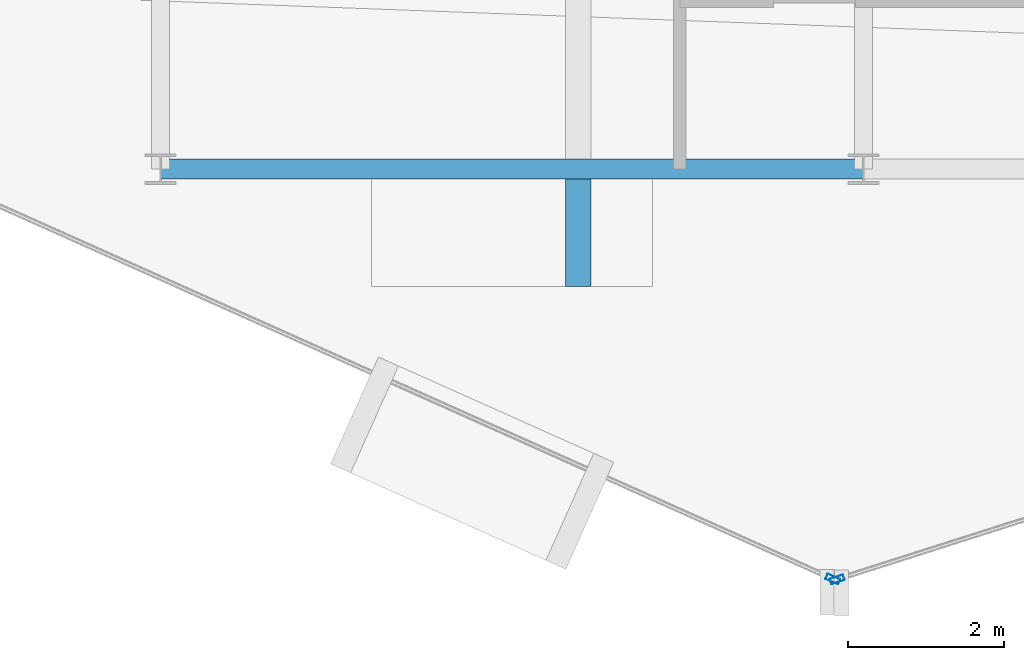
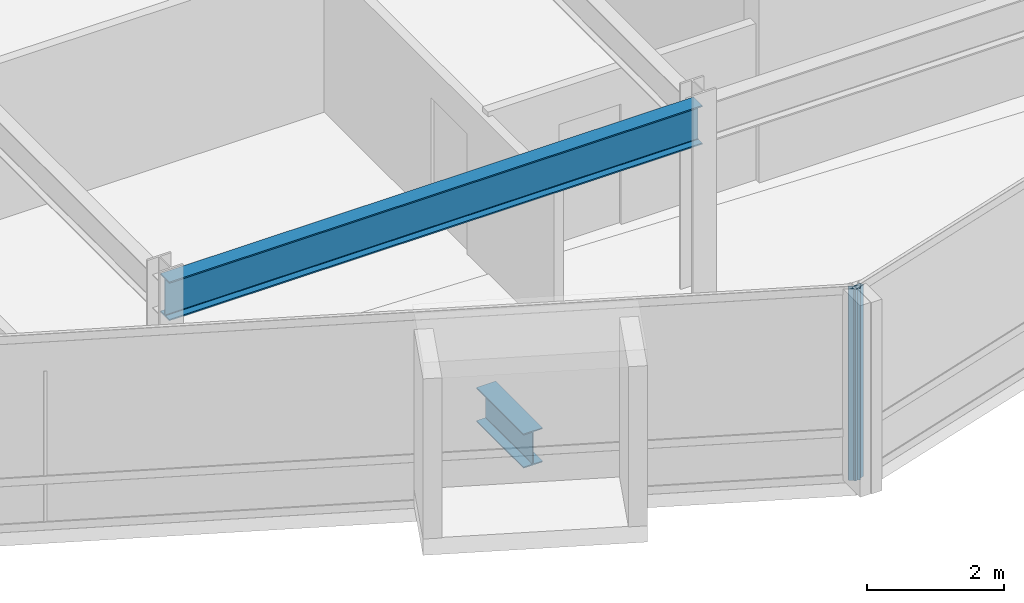
# One storey, part 4 of 19: 2 beams, 2 members, 2 elements without a shape of their own.
"""IFC4 building model written with IfcOpenShell, lengths in metres."""

from ifc_helpers import new_model, si_unit, direction, frame, origin, origin_2d, place, context, subcontext, project, spatial, hollow_rectangle, i_section, extrude, material, layer, layer_set, material_profile, profile_set, type_object, element, aggregate, save


model = new_model("IFC4")

# Units and contexts
model_context = context("Model", 3, precision=1e-05, world=origin(), true_north=direction((0.0, 1.0)))
body_context = subcontext(model_context, "Body", "Model", "MODEL_VIEW")
ifc_project = project(units=[si_unit("LENGTHUNIT", "METRE"), si_unit("AREAUNIT", "SQUARE_METRE"), si_unit("VOLUMEUNIT", "CUBIC_METRE"), si_unit("PLANEANGLEUNIT", "RADIAN"), si_unit("MASSUNIT", "GRAM", prefix="KILO")], contexts=[model_context])

# Site, building, storey
site_placement = place(None, origin())
site = spatial("IfcSite", under=ifc_project, at=site_placement, CompositionType="ELEMENT")
building_placement = place(site_placement, origin())
building = spatial("IfcBuilding", under=site, at=building_placement, Name="Solvaryn Broadcast Tower", CompositionType="ELEMENT")
storey_placement = place(building_placement, frame((0.0, 0.0, 263.0)))
storey = spatial("IfcBuildingStorey", under=building, at=storey_placement, Name="L66", CompositionType="ELEMENT", Elevation=263.0)

# Beams
ifc_material_1 = material(Name="Steel ASTM A992 Grade 50", Category="steel")
ifc_material_profile_1 = material_profile(ifc_material_1, i_section(OverallWidth=0.323974609375, OverallDepth=0.611083984375, WebThickness=0.0126953125, FlangeThickness=0.01904296875, FilletRadius=0.014892578125, at=origin_2d()))
ifc_profile_set_1 = profile_set([ifc_material_profile_1], Name="Steel ASTM A992 Grade 50")
beam_type_1 = type_object("IfcBeamType", Name="BM-CANT-TER", PredefinedType="BEAM", material=ifc_profile_set_1)
beam_1_placement = place(storey_placement, frame((23.35009765625, 8.875, -0.58544921875), z_axis=(0.0, -1.0, 0.0), x_axis=(1.0, 0.0, 0.0)))
element("IfcBeam", 1, at=beam_1_placement, inside=storey, type_object=beam_type_1, Name="L66 Bay-Box Cantilever Bracket 1", PredefinedType="BEAM", context=body_context, shape_type="SweptSolid", body=[
    extrude(i_section(OverallWidth=0.323974609375, OverallDepth=0.611083984375, WebThickness=0.0126953125, FlangeThickness=0.01904296875, FilletRadius=0.014892578125, at=origin_2d()), origin(), (0.0, 0.0, 1.0), 1.375),
])
ifc_material_2 = material(Name="Steel ASTM A992 Grade 50", Category="steel")
ifc_material_profile_2 = material_profile(ifc_material_2, i_section(OverallWidth=0.256103515625, OverallDepth=0.693115234375, WebThickness=0.014404296875, FlangeThickness=0.023681640625, FilletRadius=0.01611328125, at=origin_2d()))
ifc_profile_set_2 = profile_set([ifc_material_profile_2], Name="Steel ASTM A992 Grade 50")
beam_type_2 = type_object("IfcBeamType", Name="BM-SP3-W27X114", PredefinedType="USERDEFINED", material=ifc_profile_set_2)
beam_2_placement = place(storey_placement, frame((18.0, 9.0, 3.073486328125), z_axis=(1.0, 0.0, 0.0), x_axis=(0.0, 1.0, 0.0)))
element("IfcBeam", 2, at=beam_2_placement, inside=storey, type_object=beam_type_2, Name="L66 Spandrel Beam X (18-27 @ Y=9)", ObjectType="SPANDREL", PredefinedType="USERDEFINED", context=body_context, shape_type="SweptSolid", body=[
    extrude(i_section(OverallWidth=0.256103515625, OverallDepth=0.693115234375, WebThickness=0.014404296875, FlangeThickness=0.023681640625, FilletRadius=0.01611328125, at=origin_2d()), origin(), (0.0, 0.0, 1.0), 9.0),
])

# Curtain wall, member
ifc_material_3 = material(Name="Aluminium and Terracotta Unitised Curtain Wall", Category="masonry")
ifc_layer = layer(ifc_material_3, 0.199951171875)
ifc_layer_set = layer_set([ifc_layer], Name="CW-SYS2-LOWMID")
curtain_wall_type = type_object("IfcCurtainWallType", Name="CW-SYS2-LOWMID", PredefinedType="NOTDEFINED", material=ifc_layer_set)
curtain_wall_1_placement = place(storey_placement, origin())
curtain_wall_1 = element("IfcCurtainWall", 3, at=curtain_wall_1_placement, inside=storey, type_object=curtain_wall_type, Name="L66 Curtain Wall DR3", PredefinedType="NOTDEFINED")
ifc_material_4 = material(Name="Anodised Aluminium 6063-T6", Category="aluminium")
ifc_material_profile_3 = material_profile(ifc_material_4, hollow_rectangle(XDim=0.074951171875, YDim=0.179931640625, WallThickness=0.00390625, InnerFilletRadius=0.00390625, OuterFilletRadius=0.008056640625, at=origin_2d()))
ifc_profile_set_3 = profile_set([ifc_material_profile_3], Name="Anodised Aluminium 6063-T6")
member_type = type_object("IfcMemberType", Name="CW-MUL-180", PredefinedType="MULLION", material=ifc_profile_set_3)
member_1_placement = place(storey_placement, frame((26.608642578125, 3.750244140625, 0.0), z_axis=(0.0, 0.0, 1.0), x_axis=(0.408466010682, 0.912773530574, 0.0)))
member_1 = element("IfcMember", 4, at=member_1_placement, type_object=member_type, Name="CWS2 mullion 2", PredefinedType="MULLION", context=body_context, shape_type="SweptSolid", body=[
    extrude(hollow_rectangle(XDim=0.074951171875, YDim=0.179931640625, WallThickness=0.00390625, InnerFilletRadius=0.00390625, OuterFilletRadius=0.008056640625, at=origin_2d()), origin(), (0.0, 0.0, 1.0), 3.419921875),
])
aggregate(curtain_wall_1, [member_1])

curtain_wall_2_placement = place(storey_placement, origin())
curtain_wall_2 = element("IfcCurtainWall", 5, at=curtain_wall_2_placement, inside=storey, type_object=curtain_wall_type, Name="L66 Curtain Wall DR4", PredefinedType="NOTDEFINED")
member_2_placement = place(storey_placement, frame((26.66455078125, 3.7470703125, 0.0), z_axis=(0.0, 0.0, 1.0), x_axis=(-0.30361564569, 0.952794594701, 0.0)))
member_2 = element("IfcMember", 6, at=member_2_placement, type_object=member_type, Name="CWS2 mullion 1", PredefinedType="MULLION", context=body_context, shape_type="SweptSolid", body=[
    extrude(hollow_rectangle(XDim=0.074951171875, YDim=0.179931640625, WallThickness=0.00390625, InnerFilletRadius=0.00390625, OuterFilletRadius=0.008056640625, at=origin_2d()), origin(), (0.0, 0.0, 1.0), 3.419921875),
])
aggregate(curtain_wall_2, [member_2])

save(model, "model.ifc")
